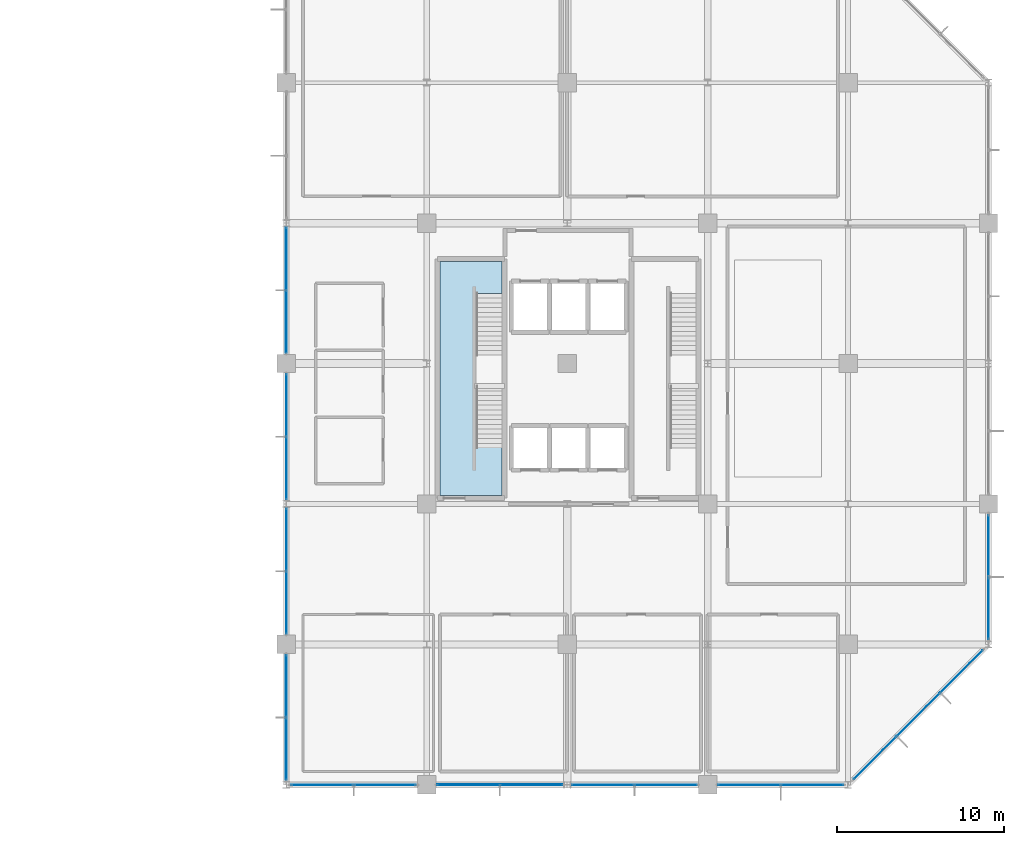
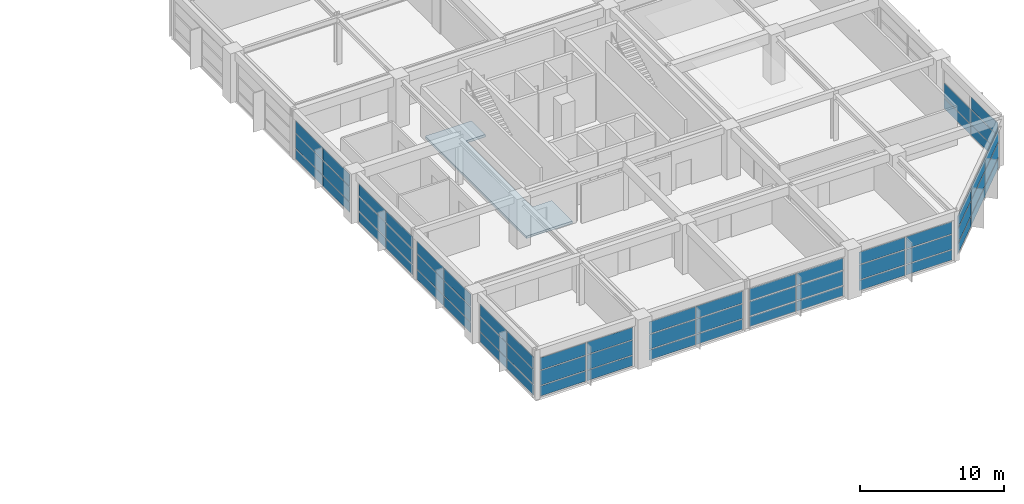
# One storey, part 12 of 18: 62 plates, 1 slab, 11 elements without a shape of their own.
"""IFC4 building model written with IfcOpenShell, lengths in metres."""

from ifc_helpers import new_model, si_unit, direction, frame, origin, origin_2d, place, context, subcontext, project, spatial, polyline, rectangle, outline, extrude, material, layer, layer_set, type_object, element, aggregate, save


model = new_model("IFC4")

# Units and contexts
model_context = context("Model", 3, precision=1e-05, world=origin(), true_north=direction((0.0, 1.0)))
body_context = subcontext(model_context, "Body", "Model", "MODEL_VIEW")
ifc_project = project(units=[si_unit("LENGTHUNIT", "METRE"), si_unit("AREAUNIT", "SQUARE_METRE"), si_unit("VOLUMEUNIT", "CUBIC_METRE"), si_unit("PLANEANGLEUNIT", "RADIAN"), si_unit("MASSUNIT", "GRAM", prefix="KILO")], contexts=[model_context])

# Site, building, storey
site_placement = place(None, origin())
site = spatial("IfcSite", under=ifc_project, at=site_placement, CompositionType="ELEMENT")
building_placement = place(site_placement, origin())
building = spatial("IfcBuilding", under=site, at=building_placement, Name="Xuanlan Plaza Opera House", CompositionType="ELEMENT")
storey_placement = place(building_placement, frame((0.0, 0.0, 32.10009765625)))
storey = spatial("IfcBuildingStorey", under=building, at=storey_placement, Name="L07", CompositionType="ELEMENT", Elevation=32.10009765625)

# Curtain wall, plates
ifc_material_1 = material(Name="Anodised Aluminium 6063-T6 and Low-E Glass", Category="aluminium")
curtain_wall_type_1 = type_object("IfcCurtainWallType", Name="ENV-CW-CW-01", PredefinedType="USERDEFINED", material=ifc_material_1)
curtain_wall_1_placement = place(storey_placement, origin())
curtain_wall_1 = element("IfcCurtainWall", 1, at=curtain_wall_1_placement, inside=storey, type_object=curtain_wall_type_1, Name="Unitised Curtain Wall L07-004", ObjectType="UNITISED CURTAIN WALL", PredefinedType="USERDEFINED")
ifc_material_2 = material(Name="Laminated Acoustic Double Glazing", Category="glass")
ifc_layer_1 = layer(ifc_material_2, 0.028076171875)
ifc_layer_set_1 = layer_set([ifc_layer_1], Name="Laminated Acoustic Double Glazing")
plate_type_1 = type_object("IfcPlateType", Name="ENV-CWP-01", PredefinedType="CURTAIN_PANEL", material=ifc_layer_set_1)
plate_1_placement = place(storey_placement, frame((153.691162109375, 33.60009765625, 0.06982421875), z_axis=(0.0, 0.0, 1.0), x_axis=(1.0, 0.0, 0.0)))
plate_1 = element("IfcPlate", 2, at=plate_1_placement, type_object=plate_type_1, Name="CW-01 panel 1.1", PredefinedType="CURTAIN_PANEL", context=body_context, shape_type="SweptSolid", body=[
    extrude(rectangle(XDim=3.6923828125, YDim=0.028076171875, at=origin_2d()), origin(), (0.0, 0.0, 1.0), 0.844970703125),
])
plate_2_placement = place(storey_placement, frame((153.691162109375, 33.60009765625, 0.98486328125), z_axis=(0.0, 0.0, 1.0), x_axis=(1.0, 0.0, 0.0)))
plate_2 = element("IfcPlate", 3, at=plate_2_placement, type_object=plate_type_1, Name="CW-01 panel 1.2", PredefinedType="CURTAIN_PANEL", context=body_context, shape_type="SweptSolid", body=[
    extrude(rectangle(XDim=3.6923828125, YDim=0.028076171875, at=origin_2d()), origin(), (0.0, 0.0, 1.0), 1.22998046875),
])
plate_3_placement = place(storey_placement, frame((153.691162109375, 33.60009765625, 2.284912109375), z_axis=(0.0, 0.0, 1.0), x_axis=(1.0, 0.0, 0.0)))
plate_3 = element("IfcPlate", 4, at=plate_3_placement, type_object=plate_type_1, Name="CW-01 panel 1.3", PredefinedType="CURTAIN_PANEL", context=body_context, shape_type="SweptSolid", body=[
    extrude(rectangle(XDim=3.6923828125, YDim=0.028076171875, at=origin_2d()), origin(), (0.0, 0.0, 1.0), 1.02490234375),
])
plate_4_placement = place(storey_placement, frame((157.458740234375, 33.60009765625, 0.06982421875), z_axis=(0.0, 0.0, 1.0), x_axis=(1.0, 0.0, 0.0)))
plate_4 = element("IfcPlate", 5, at=plate_4_placement, type_object=plate_type_1, Name="CW-01 panel 2.1", PredefinedType="CURTAIN_PANEL", context=body_context, shape_type="SweptSolid", body=[
    extrude(rectangle(XDim=3.6923828125, YDim=0.028076171875, at=origin_2d()), origin(), (0.0, 0.0, 1.0), 0.844970703125),
])
plate_5_placement = place(storey_placement, frame((157.458740234375, 33.60009765625, 0.98486328125), z_axis=(0.0, 0.0, 1.0), x_axis=(1.0, 0.0, 0.0)))
plate_5 = element("IfcPlate", 6, at=plate_5_placement, type_object=plate_type_1, Name="CW-01 panel 2.2", PredefinedType="CURTAIN_PANEL", context=body_context, shape_type="SweptSolid", body=[
    extrude(rectangle(XDim=3.6923828125, YDim=0.028076171875, at=origin_2d()), origin(), (0.0, 0.0, 1.0), 1.22998046875),
])
plate_6_placement = place(storey_placement, frame((157.458740234375, 33.60009765625, 2.284912109375), z_axis=(0.0, 0.0, 1.0), x_axis=(1.0, 0.0, 0.0)))
plate_6 = element("IfcPlate", 7, at=plate_6_placement, type_object=plate_type_1, Name="CW-01 panel 2.3", PredefinedType="CURTAIN_PANEL", context=body_context, shape_type="SweptSolid", body=[
    extrude(rectangle(XDim=3.6923828125, YDim=0.028076171875, at=origin_2d()), origin(), (0.0, 0.0, 1.0), 1.02490234375),
])
aggregate(curtain_wall_1, [plate_1, plate_2, plate_3, plate_4, plate_5, plate_6])

curtain_wall_type_2 = type_object("IfcCurtainWallType", Name="ENV-CW-CW-04", PredefinedType="USERDEFINED", material=ifc_material_1)
curtain_wall_2_placement = place(storey_placement, origin())
curtain_wall_2 = element("IfcCurtainWall", 8, at=curtain_wall_2_placement, inside=storey, type_object=curtain_wall_type_2, Name="Unitised Curtain Wall L07-019", ObjectType="UNITISED CURTAIN WALL", PredefinedType="USERDEFINED")
plate_7_placement = place(storey_placement, frame((126.0, 48.2587890625, 0.06982421875), z_axis=(0.0, 0.0, 1.0), x_axis=(0.0, -1.0, 0.0)))
plate_7 = element("IfcPlate", 9, at=plate_7_placement, type_object=plate_type_1, Name="CW-04 panel 1.1", PredefinedType="CURTAIN_PANEL", context=body_context, shape_type="SweptSolid", body=[
    extrude(rectangle(XDim=3.6923828125, YDim=0.028076171875, at=origin_2d()), origin(), (0.0, 0.0, 1.0), 0.844970703125),
])
plate_8_placement = place(storey_placement, frame((126.0, 48.2587890625, 0.98486328125), z_axis=(0.0, 0.0, 1.0), x_axis=(0.0, -1.0, 0.0)))
plate_8 = element("IfcPlate", 10, at=plate_8_placement, type_object=plate_type_1, Name="CW-04 panel 1.2", PredefinedType="CURTAIN_PANEL", context=body_context, shape_type="SweptSolid", body=[
    extrude(rectangle(XDim=3.6923828125, YDim=0.028076171875, at=origin_2d()), origin(), (0.0, 0.0, 1.0), 1.22998046875),
])
plate_9_placement = place(storey_placement, frame((126.0, 48.2587890625, 2.284912109375), z_axis=(0.0, 0.0, 1.0), x_axis=(0.0, -1.0, 0.0)))
plate_9 = element("IfcPlate", 11, at=plate_9_placement, type_object=plate_type_1, Name="CW-04 panel 1.3", PredefinedType="CURTAIN_PANEL", context=body_context, shape_type="SweptSolid", body=[
    extrude(rectangle(XDim=3.6923828125, YDim=0.028076171875, at=origin_2d()), origin(), (0.0, 0.0, 1.0), 1.02490234375),
])
plate_10_placement = place(storey_placement, frame((126.0, 44.4912109375, 0.06982421875), z_axis=(0.0, 0.0, 1.0), x_axis=(0.0, -1.0, 0.0)))
plate_10 = element("IfcPlate", 12, at=plate_10_placement, type_object=plate_type_1, Name="CW-04 panel 2.1", PredefinedType="CURTAIN_PANEL", context=body_context, shape_type="SweptSolid", body=[
    extrude(rectangle(XDim=3.6923828125, YDim=0.028076171875, at=origin_2d()), origin(), (0.0, 0.0, 1.0), 0.844970703125),
])
plate_11_placement = place(storey_placement, frame((126.0, 44.4912109375, 0.98486328125), z_axis=(0.0, 0.0, 1.0), x_axis=(0.0, -1.0, 0.0)))
plate_11 = element("IfcPlate", 13, at=plate_11_placement, type_object=plate_type_1, Name="CW-04 panel 2.2", PredefinedType="CURTAIN_PANEL", context=body_context, shape_type="SweptSolid", body=[
    extrude(rectangle(XDim=3.6923828125, YDim=0.028076171875, at=origin_2d()), origin(), (0.0, 0.0, 1.0), 1.22998046875),
])
plate_12_placement = place(storey_placement, frame((126.0, 44.4912109375, 2.284912109375), z_axis=(0.0, 0.0, 1.0), x_axis=(0.0, -1.0, 0.0)))
plate_12 = element("IfcPlate", 14, at=plate_12_placement, type_object=plate_type_1, Name="CW-04 panel 2.3", PredefinedType="CURTAIN_PANEL", context=body_context, shape_type="SweptSolid", body=[
    extrude(rectangle(XDim=3.6923828125, YDim=0.028076171875, at=origin_2d()), origin(), (0.0, 0.0, 1.0), 1.02490234375),
])
aggregate(curtain_wall_2, [plate_7, plate_8, plate_9, plate_10, plate_11, plate_12])

curtain_wall_type_3 = type_object("IfcCurtainWallType", Name="ENV-CW-CW-02", PredefinedType="USERDEFINED", material=ifc_material_1)
curtain_wall_3_placement = place(storey_placement, origin())
curtain_wall_3 = element("IfcCurtainWall", 15, at=curtain_wall_3_placement, inside=storey, type_object=curtain_wall_type_3, Name="Unitised Curtain Wall L07-001", ObjectType="UNITISED CURTAIN WALL", PredefinedType="USERDEFINED")
ifc_layer_2 = layer(ifc_material_2, 0.031982421875)
ifc_layer_set_2 = layer_set([ifc_layer_2], Name="Laminated Acoustic Double Glazing")
plate_type_2 = type_object("IfcPlateType", Name="ENV-CWP-02", PredefinedType="CURTAIN_PANEL", material=ifc_layer_set_2)
plate_13_placement = place(storey_placement, frame((128.14501953125, 33.60009765625, 0.06494140625), z_axis=(0.0, 0.0, 1.0), x_axis=(1.0, 0.0, 0.0)))
plate_13 = element("IfcPlate", 16, at=plate_13_placement, type_object=plate_type_2, Name="CW-02 panel 1.1", PredefinedType="CURTAIN_PANEL", context=body_context, shape_type="SweptSolid", body=[
    extrude(rectangle(XDim=3.669921875, YDim=0.031982421875, at=origin_2d()), origin(), (0.0, 0.0, 1.0), 0.8525390625),
])
plate_14_placement = place(storey_placement, frame((128.14501953125, 33.60009765625, 0.982421875), z_axis=(0.0, 0.0, 1.0), x_axis=(1.0, 0.0, 0.0)))
plate_14 = element("IfcPlate", 17, at=plate_14_placement, type_object=plate_type_2, Name="CW-02 panel 1.2", PredefinedType="CURTAIN_PANEL", context=body_context, shape_type="SweptSolid", body=[
    extrude(rectangle(XDim=3.669921875, YDim=0.031982421875, at=origin_2d()), origin(), (0.0, 0.0, 1.0), 1.235107421875),
])
plate_15_placement = place(storey_placement, frame((128.14501953125, 33.60009765625, 2.2822265625), z_axis=(0.0, 0.0, 1.0), x_axis=(1.0, 0.0, 0.0)))
plate_15 = element("IfcPlate", 18, at=plate_15_placement, type_object=plate_type_2, Name="CW-02 panel 1.3", PredefinedType="CURTAIN_PANEL", context=body_context, shape_type="SweptSolid", body=[
    extrude(rectangle(XDim=3.669921875, YDim=0.031982421875, at=origin_2d()), origin(), (0.0, 0.0, 1.0), 1.032470703125),
])
plate_16_placement = place(storey_placement, frame((131.905029296875, 33.60009765625, 0.06494140625), z_axis=(0.0, 0.0, 1.0), x_axis=(1.0, 0.0, 0.0)))
plate_16 = element("IfcPlate", 19, at=plate_16_placement, type_object=plate_type_2, Name="CW-02 panel 2.1", PredefinedType="CURTAIN_PANEL", context=body_context, shape_type="SweptSolid", body=[
    extrude(rectangle(XDim=3.669921875, YDim=0.031982421875, at=origin_2d()), origin(), (0.0, 0.0, 1.0), 0.8525390625),
])
plate_17_placement = place(storey_placement, frame((131.905029296875, 33.60009765625, 0.982421875), z_axis=(0.0, 0.0, 1.0), x_axis=(1.0, 0.0, 0.0)))
plate_17 = element("IfcPlate", 20, at=plate_17_placement, type_object=plate_type_2, Name="CW-02 panel 2.2", PredefinedType="CURTAIN_PANEL", context=body_context, shape_type="SweptSolid", body=[
    extrude(rectangle(XDim=3.669921875, YDim=0.031982421875, at=origin_2d()), origin(), (0.0, 0.0, 1.0), 1.235107421875),
])
plate_18_placement = place(storey_placement, frame((131.905029296875, 33.60009765625, 2.2822265625), z_axis=(0.0, 0.0, 1.0), x_axis=(1.0, 0.0, 0.0)))
plate_18 = element("IfcPlate", 21, at=plate_18_placement, type_object=plate_type_2, Name="CW-02 panel 2.3", PredefinedType="CURTAIN_PANEL", context=body_context, shape_type="SweptSolid", body=[
    extrude(rectangle(XDim=3.669921875, YDim=0.031982421875, at=origin_2d()), origin(), (0.0, 0.0, 1.0), 1.032470703125),
])
aggregate(curtain_wall_3, [plate_13, plate_14, plate_15, plate_16, plate_17, plate_18])

curtain_wall_type_4 = type_object("IfcCurtainWallType", Name="ENV-CW-CW-03", PredefinedType="USERDEFINED", material=ifc_material_1)
curtain_wall_4_placement = place(storey_placement, origin())
curtain_wall_4 = element("IfcCurtainWall", 22, at=curtain_wall_4_placement, inside=storey, type_object=curtain_wall_type_4, Name="Unitised Curtain Wall L07-006", ObjectType="UNITISED CURTAIN WALL", PredefinedType="USERDEFINED")
plate_19_placement = place(storey_placement, frame((168.0, 44.14501953125, 0.06494140625), z_axis=(0.0, 0.0, 1.0), x_axis=(0.0, 1.0, 0.0)))
plate_19 = element("IfcPlate", 23, at=plate_19_placement, type_object=plate_type_2, Name="CW-03 panel 1.1", PredefinedType="CURTAIN_PANEL", context=body_context, shape_type="SweptSolid", body=[
    extrude(rectangle(XDim=3.669921875, YDim=0.031982421875, at=origin_2d()), origin(), (0.0, 0.0, 1.0), 0.8525390625),
])
plate_20_placement = place(storey_placement, frame((168.0, 44.14501953125, 0.982421875), z_axis=(0.0, 0.0, 1.0), x_axis=(0.0, 1.0, 0.0)))
plate_20 = element("IfcPlate", 24, at=plate_20_placement, type_object=plate_type_2, Name="CW-03 panel 1.2", PredefinedType="CURTAIN_PANEL", context=body_context, shape_type="SweptSolid", body=[
    extrude(rectangle(XDim=3.669921875, YDim=0.031982421875, at=origin_2d()), origin(), (0.0, 0.0, 1.0), 1.235107421875),
])
plate_21_placement = place(storey_placement, frame((168.0, 44.14501953125, 2.2822265625), z_axis=(0.0, 0.0, 1.0), x_axis=(0.0, 1.0, 0.0)))
plate_21 = element("IfcPlate", 25, at=plate_21_placement, type_object=plate_type_2, Name="CW-03 panel 1.3", PredefinedType="CURTAIN_PANEL", context=body_context, shape_type="SweptSolid", body=[
    extrude(rectangle(XDim=3.669921875, YDim=0.031982421875, at=origin_2d()), origin(), (0.0, 0.0, 1.0), 1.032470703125),
])
plate_22_placement = place(storey_placement, frame((168.0, 47.905029296875, 0.06494140625), z_axis=(0.0, 0.0, 1.0), x_axis=(0.0, 1.0, 0.0)))
plate_22 = element("IfcPlate", 26, at=plate_22_placement, type_object=plate_type_2, Name="CW-03 panel 2.1", PredefinedType="CURTAIN_PANEL", context=body_context, shape_type="SweptSolid", body=[
    extrude(rectangle(XDim=3.669921875, YDim=0.031982421875, at=origin_2d()), origin(), (0.0, 0.0, 1.0), 0.8525390625),
])
plate_23_placement = place(storey_placement, frame((168.0, 47.905029296875, 0.982421875), z_axis=(0.0, 0.0, 1.0), x_axis=(0.0, 1.0, 0.0)))
plate_23 = element("IfcPlate", 27, at=plate_23_placement, type_object=plate_type_2, Name="CW-03 panel 2.2", PredefinedType="CURTAIN_PANEL", context=body_context, shape_type="SweptSolid", body=[
    extrude(rectangle(XDim=3.669921875, YDim=0.031982421875, at=origin_2d()), origin(), (0.0, 0.0, 1.0), 1.235107421875),
])
aggregate(curtain_wall_4, [plate_19, plate_20, plate_21, plate_22, plate_23])

curtain_wall_5_placement = place(storey_placement, origin())
curtain_wall_5 = element("IfcCurtainWall", 28, at=curtain_wall_5_placement, inside=storey, type_object=curtain_wall_type_2, Name="Unitised Curtain Wall L07-003", ObjectType="UNITISED CURTAIN WALL", PredefinedType="USERDEFINED")
ifc_layer_3 = layer(ifc_material_2, 0.035888671875)
ifc_layer_set_3 = layer_set([ifc_layer_3], Name="Laminated Acoustic Double Glazing")
plate_type_3 = type_object("IfcPlateType", Name="ENV-CWP-03", PredefinedType="CURTAIN_PANEL", material=ifc_layer_set_3)
plate_24_placement = place(storey_placement, frame((144.93994140625, 33.60009765625, 0.08984375), z_axis=(0.0, 0.0, 1.0), x_axis=(1.0, 0.0, 0.0)))
plate_24 = element("IfcPlate", 29, at=plate_24_placement, type_object=plate_type_3, Name="CW-04 panel 1.1", PredefinedType="CURTAIN_PANEL", context=body_context, shape_type="SweptSolid", body=[
    extrude(rectangle(XDim=3.699951171875, YDim=0.035888671875, at=origin_2d()), origin(), (0.0, 0.0, 1.0), 0.81494140625),
])
plate_25_placement = place(storey_placement, frame((144.93994140625, 33.60009765625, 0.994873046875), z_axis=(0.0, 0.0, 1.0), x_axis=(1.0, 0.0, 0.0)))
plate_25 = element("IfcPlate", 30, at=plate_25_placement, type_object=plate_type_3, Name="CW-04 panel 1.2", PredefinedType="CURTAIN_PANEL", context=body_context, shape_type="SweptSolid", body=[
    extrude(rectangle(XDim=3.699951171875, YDim=0.035888671875, at=origin_2d()), origin(), (0.0, 0.0, 1.0), 1.2099609375),
])
plate_26_placement = place(storey_placement, frame((144.93994140625, 33.60009765625, 2.294921875), z_axis=(0.0, 0.0, 1.0), x_axis=(1.0, 0.0, 0.0)))
plate_26 = element("IfcPlate", 31, at=plate_26_placement, type_object=plate_type_3, Name="CW-04 panel 1.3", PredefinedType="CURTAIN_PANEL", context=body_context, shape_type="SweptSolid", body=[
    extrude(rectangle(XDim=3.699951171875, YDim=0.035888671875, at=origin_2d()), origin(), (0.0, 0.0, 1.0), 0.9951171875),
])
plate_27_placement = place(storey_placement, frame((148.7099609375, 33.60009765625, 0.08984375), z_axis=(0.0, 0.0, 1.0), x_axis=(1.0, 0.0, 0.0)))
plate_27 = element("IfcPlate", 32, at=plate_27_placement, type_object=plate_type_3, Name="CW-04 panel 2.1", PredefinedType="CURTAIN_PANEL", context=body_context, shape_type="SweptSolid", body=[
    extrude(rectangle(XDim=3.699951171875, YDim=0.035888671875, at=origin_2d()), origin(), (0.0, 0.0, 1.0), 0.81494140625),
])
plate_28_placement = place(storey_placement, frame((148.7099609375, 33.60009765625, 0.994873046875), z_axis=(0.0, 0.0, 1.0), x_axis=(1.0, 0.0, 0.0)))
plate_28 = element("IfcPlate", 33, at=plate_28_placement, type_object=plate_type_3, Name="CW-04 panel 2.2", PredefinedType="CURTAIN_PANEL", context=body_context, shape_type="SweptSolid", body=[
    extrude(rectangle(XDim=3.699951171875, YDim=0.035888671875, at=origin_2d()), origin(), (0.0, 0.0, 1.0), 1.2099609375),
])
plate_29_placement = place(storey_placement, frame((148.7099609375, 33.60009765625, 2.294921875), z_axis=(0.0, 0.0, 1.0), x_axis=(1.0, 0.0, 0.0)))
plate_29 = element("IfcPlate", 34, at=plate_29_placement, type_object=plate_type_3, Name="CW-04 panel 2.3", PredefinedType="CURTAIN_PANEL", context=body_context, shape_type="SweptSolid", body=[
    extrude(rectangle(XDim=3.699951171875, YDim=0.035888671875, at=origin_2d()), origin(), (0.0, 0.0, 1.0), 0.9951171875),
])
aggregate(curtain_wall_5, [plate_24, plate_25, plate_26, plate_27, plate_28, plate_29])

curtain_wall_6_placement = place(storey_placement, origin())
curtain_wall_6 = element("IfcCurtainWall", 35, at=curtain_wall_6_placement, inside=storey, type_object=curtain_wall_type_4, Name="Unitised Curtain Wall L07-018", ObjectType="UNITISED CURTAIN WALL", PredefinedType="USERDEFINED")
plate_30_placement = place(storey_placement, frame((126.0, 56.31005859375, 0.08984375), z_axis=(0.0, 0.0, 1.0), x_axis=(0.0, -1.0, 0.0)))
plate_30 = element("IfcPlate", 36, at=plate_30_placement, type_object=plate_type_3, Name="CW-03 panel 1.1", PredefinedType="CURTAIN_PANEL", context=body_context, shape_type="SweptSolid", body=[
    extrude(rectangle(XDim=3.699951171875, YDim=0.035888671875, at=origin_2d()), origin(), (0.0, 0.0, 1.0), 0.81494140625),
])
plate_31_placement = place(storey_placement, frame((126.0, 56.31005859375, 0.994873046875), z_axis=(0.0, 0.0, 1.0), x_axis=(0.0, -1.0, 0.0)))
plate_31 = element("IfcPlate", 37, at=plate_31_placement, type_object=plate_type_3, Name="CW-03 panel 1.2", PredefinedType="CURTAIN_PANEL", context=body_context, shape_type="SweptSolid", body=[
    extrude(rectangle(XDim=3.699951171875, YDim=0.035888671875, at=origin_2d()), origin(), (0.0, 0.0, 1.0), 1.2099609375),
])
plate_32_placement = place(storey_placement, frame((126.0, 56.31005859375, 2.294921875), z_axis=(0.0, 0.0, 1.0), x_axis=(0.0, -1.0, 0.0)))
plate_32 = element("IfcPlate", 38, at=plate_32_placement, type_object=plate_type_3, Name="CW-03 panel 1.3", PredefinedType="CURTAIN_PANEL", context=body_context, shape_type="SweptSolid", body=[
    extrude(rectangle(XDim=3.699951171875, YDim=0.035888671875, at=origin_2d()), origin(), (0.0, 0.0, 1.0), 0.9951171875),
])
plate_33_placement = place(storey_placement, frame((126.0, 52.5400390625, 0.08984375), z_axis=(0.0, 0.0, 1.0), x_axis=(0.0, -1.0, 0.0)))
plate_33 = element("IfcPlate", 39, at=plate_33_placement, type_object=plate_type_3, Name="CW-03 panel 2.1", PredefinedType="CURTAIN_PANEL", context=body_context, shape_type="SweptSolid", body=[
    extrude(rectangle(XDim=3.699951171875, YDim=0.035888671875, at=origin_2d()), origin(), (0.0, 0.0, 1.0), 0.81494140625),
])
plate_34_placement = place(storey_placement, frame((126.0, 52.5400390625, 0.994873046875), z_axis=(0.0, 0.0, 1.0), x_axis=(0.0, -1.0, 0.0)))
plate_34 = element("IfcPlate", 40, at=plate_34_placement, type_object=plate_type_3, Name="CW-03 panel 2.2", PredefinedType="CURTAIN_PANEL", context=body_context, shape_type="SweptSolid", body=[
    extrude(rectangle(XDim=3.699951171875, YDim=0.035888671875, at=origin_2d()), origin(), (0.0, 0.0, 1.0), 1.2099609375),
])
plate_35_placement = place(storey_placement, frame((126.0, 52.5400390625, 2.294921875), z_axis=(0.0, 0.0, 1.0), x_axis=(0.0, -1.0, 0.0)))
plate_35 = element("IfcPlate", 41, at=plate_35_placement, type_object=plate_type_3, Name="CW-03 panel 2.3", PredefinedType="CURTAIN_PANEL", context=body_context, shape_type="SweptSolid", body=[
    extrude(rectangle(XDim=3.699951171875, YDim=0.035888671875, at=origin_2d()), origin(), (0.0, 0.0, 1.0), 0.9951171875),
])
aggregate(curtain_wall_6, [plate_30, plate_31, plate_32, plate_33, plate_34, plate_35])

curtain_wall_7_placement = place(storey_placement, origin())
curtain_wall_7 = element("IfcCurtainWall", 42, at=curtain_wall_7_placement, inside=storey, type_object=curtain_wall_type_3, Name="Unitised Curtain Wall L07-005", ObjectType="UNITISED CURTAIN WALL", PredefinedType="USERDEFINED")
ifc_layer_4 = layer(ifc_material_2, 0.0400390625)
ifc_layer_set_4 = layer_set([ifc_layer_4], Name="Laminated Acoustic Double Glazing")
plate_type_4 = type_object("IfcPlateType", Name="ENV-CWP-04", PredefinedType="CURTAIN_PANEL", material=ifc_layer_set_4)
plate_36_placement = place(storey_placement, frame((161.21337890625, 35.21337890625, 0.079833984375), z_axis=(0.0, 0.0, 1.0), x_axis=(0.707106781187, 0.707106781187, 0.0)))
plate_36 = element("IfcPlate", 43, at=plate_36_placement, type_object=plate_type_4, Name="CW-02 panel 1.1", PredefinedType="CURTAIN_PANEL", context=body_context, shape_type="SweptSolid", body=[
    extrude(rectangle(XDim=3.557861328125, YDim=0.0400390625, at=origin_2d()), origin(), (0.0, 0.0, 1.0), 0.830078125),
])
plate_37_placement = place(storey_placement, frame((161.21337890625, 35.21337890625, 0.98974609375), z_axis=(0.0, 0.0, 1.0), x_axis=(0.707106781187, 0.707106781187, 0.0)))
plate_37 = element("IfcPlate", 44, at=plate_37_placement, type_object=plate_type_4, Name="CW-02 panel 1.2", PredefinedType="CURTAIN_PANEL", context=body_context, shape_type="SweptSolid", body=[
    extrude(rectangle(XDim=3.557861328125, YDim=0.0400390625, at=origin_2d()), origin(), (0.0, 0.0, 1.0), 1.219970703125),
])
plate_38_placement = place(storey_placement, frame((161.21337890625, 35.21337890625, 2.2900390625), z_axis=(0.0, 0.0, 1.0), x_axis=(0.707106781187, 0.707106781187, 0.0)))
plate_38 = element("IfcPlate", 45, at=plate_38_placement, type_object=plate_type_4, Name="CW-02 panel 1.3", PredefinedType="CURTAIN_PANEL", context=body_context, shape_type="SweptSolid", body=[
    extrude(rectangle(XDim=3.557861328125, YDim=0.0400390625, at=origin_2d()), origin(), (0.0, 0.0, 1.0), 1.010009765625),
])
plate_39_placement = place(storey_placement, frame((163.800048828125, 37.800048828125, 0.079833984375), z_axis=(0.0, 0.0, 1.0), x_axis=(0.707106781187, 0.707106781187, 0.0)))
plate_39 = element("IfcPlate", 46, at=plate_39_placement, type_object=plate_type_4, Name="CW-02 panel 2.1", PredefinedType="CURTAIN_PANEL", context=body_context, shape_type="SweptSolid", body=[
    extrude(rectangle(XDim=3.597900390625, YDim=0.0400390625, at=origin_2d()), origin(), (0.0, 0.0, 1.0), 0.830078125),
])
plate_40_placement = place(storey_placement, frame((163.800048828125, 37.800048828125, 0.98974609375), z_axis=(0.0, 0.0, 1.0), x_axis=(0.707106781187, 0.707106781187, 0.0)))
plate_40 = element("IfcPlate", 47, at=plate_40_placement, type_object=plate_type_4, Name="CW-02 panel 2.2", PredefinedType="CURTAIN_PANEL", context=body_context, shape_type="SweptSolid", body=[
    extrude(rectangle(XDim=3.597900390625, YDim=0.0400390625, at=origin_2d()), origin(), (0.0, 0.0, 1.0), 1.219970703125),
])
plate_41_placement = place(storey_placement, frame((163.800048828125, 37.800048828125, 2.2900390625), z_axis=(0.0, 0.0, 1.0), x_axis=(0.707106781187, 0.707106781187, 0.0)))
plate_41 = element("IfcPlate", 48, at=plate_41_placement, type_object=plate_type_4, Name="CW-02 panel 2.3", PredefinedType="CURTAIN_PANEL", context=body_context, shape_type="SweptSolid", body=[
    extrude(rectangle(XDim=3.597900390625, YDim=0.0400390625, at=origin_2d()), origin(), (0.0, 0.0, 1.0), 1.010009765625),
])
plate_42_placement = place(storey_placement, frame((166.386474609375, 40.386474609375, 0.079833984375), z_axis=(0.0, 0.0, 1.0), x_axis=(0.707106781187, 0.707106781187, 0.0)))
plate_42 = element("IfcPlate", 49, at=plate_42_placement, type_object=plate_type_4, Name="CW-02 panel 3.1", PredefinedType="CURTAIN_PANEL", context=body_context, shape_type="SweptSolid", body=[
    extrude(rectangle(XDim=3.557861328125, YDim=0.0400390625, at=origin_2d()), origin(), (0.0, 0.0, 1.0), 0.830078125),
])
plate_43_placement = place(storey_placement, frame((166.386474609375, 40.386474609375, 0.98974609375), z_axis=(0.0, 0.0, 1.0), x_axis=(0.707106781187, 0.707106781187, 0.0)))
plate_43 = element("IfcPlate", 50, at=plate_43_placement, type_object=plate_type_4, Name="CW-02 panel 3.2", PredefinedType="CURTAIN_PANEL", context=body_context, shape_type="SweptSolid", body=[
    extrude(rectangle(XDim=3.557861328125, YDim=0.0400390625, at=origin_2d()), origin(), (0.0, 0.0, 1.0), 1.219970703125),
])
plate_44_placement = place(storey_placement, frame((166.386474609375, 40.386474609375, 2.2900390625), z_axis=(0.0, 0.0, 1.0), x_axis=(0.707106781187, 0.707106781187, 0.0)))
plate_44 = element("IfcPlate", 51, at=plate_44_placement, type_object=plate_type_4, Name="CW-02 panel 3.3", PredefinedType="CURTAIN_PANEL", context=body_context, shape_type="SweptSolid", body=[
    extrude(rectangle(XDim=3.557861328125, YDim=0.0400390625, at=origin_2d()), origin(), (0.0, 0.0, 1.0), 1.010009765625),
])
aggregate(curtain_wall_7, [plate_36, plate_37, plate_38, plate_39, plate_40, plate_41, plate_42, plate_43, plate_44])

curtain_wall_8_placement = place(storey_placement, origin())
curtain_wall_8 = element("IfcCurtainWall", 52, at=curtain_wall_8_placement, inside=storey, type_object=curtain_wall_type_1, Name="Unitised Curtain Wall L07-020", ObjectType="UNITISED CURTAIN WALL", PredefinedType="USERDEFINED")
plate_45_placement = place(storey_placement, frame((126.0, 39.507568359375, 0.079833984375), z_axis=(0.0, 0.0, 1.0), x_axis=(0.0, -1.0, 0.0)))
plate_45 = element("IfcPlate", 53, at=plate_45_placement, type_object=plate_type_4, Name="CW-01 panel 1.1", PredefinedType="CURTAIN_PANEL", context=body_context, shape_type="SweptSolid", body=[
    extrude(rectangle(XDim=3.68505859375, YDim=0.0400390625, at=origin_2d()), origin(), (0.0, 0.0, 1.0), 0.830078125),
])
plate_46_placement = place(storey_placement, frame((126.0, 39.507568359375, 0.98974609375), z_axis=(0.0, 0.0, 1.0), x_axis=(0.0, -1.0, 0.0)))
plate_46 = element("IfcPlate", 54, at=plate_46_placement, type_object=plate_type_4, Name="CW-01 panel 1.2", PredefinedType="CURTAIN_PANEL", context=body_context, shape_type="SweptSolid", body=[
    extrude(rectangle(XDim=3.68505859375, YDim=0.0400390625, at=origin_2d()), origin(), (0.0, 0.0, 1.0), 1.219970703125),
])
plate_47_placement = place(storey_placement, frame((126.0, 39.507568359375, 2.2900390625), z_axis=(0.0, 0.0, 1.0), x_axis=(0.0, -1.0, 0.0)))
plate_47 = element("IfcPlate", 55, at=plate_47_placement, type_object=plate_type_4, Name="CW-01 panel 1.3", PredefinedType="CURTAIN_PANEL", context=body_context, shape_type="SweptSolid", body=[
    extrude(rectangle(XDim=3.68505859375, YDim=0.0400390625, at=origin_2d()), origin(), (0.0, 0.0, 1.0), 1.010009765625),
])
plate_48_placement = place(storey_placement, frame((126.0, 35.742431640625, 0.079833984375), z_axis=(0.0, 0.0, 1.0), x_axis=(0.0, -1.0, 0.0)))
plate_48 = element("IfcPlate", 56, at=plate_48_placement, type_object=plate_type_4, Name="CW-01 panel 2.1", PredefinedType="CURTAIN_PANEL", context=body_context, shape_type="SweptSolid", body=[
    extrude(rectangle(XDim=3.68505859375, YDim=0.0400390625, at=origin_2d()), origin(), (0.0, 0.0, 1.0), 0.830078125),
])
plate_49_placement = place(storey_placement, frame((126.0, 35.742431640625, 0.98974609375), z_axis=(0.0, 0.0, 1.0), x_axis=(0.0, -1.0, 0.0)))
plate_49 = element("IfcPlate", 57, at=plate_49_placement, type_object=plate_type_4, Name="CW-01 panel 2.2", PredefinedType="CURTAIN_PANEL", context=body_context, shape_type="SweptSolid", body=[
    extrude(rectangle(XDim=3.68505859375, YDim=0.0400390625, at=origin_2d()), origin(), (0.0, 0.0, 1.0), 1.219970703125),
])
plate_50_placement = place(storey_placement, frame((126.0, 35.742431640625, 2.2900390625), z_axis=(0.0, 0.0, 1.0), x_axis=(0.0, -1.0, 0.0)))
plate_50 = element("IfcPlate", 58, at=plate_50_placement, type_object=plate_type_4, Name="CW-01 panel 2.3", PredefinedType="CURTAIN_PANEL", context=body_context, shape_type="SweptSolid", body=[
    extrude(rectangle(XDim=3.68505859375, YDim=0.0400390625, at=origin_2d()), origin(), (0.0, 0.0, 1.0), 1.010009765625),
])
aggregate(curtain_wall_8, [plate_45, plate_46, plate_47, plate_48, plate_49, plate_50])

curtain_wall_9_placement = place(storey_placement, origin())
curtain_wall_9 = element("IfcCurtainWall", 59, at=curtain_wall_9_placement, inside=storey, type_object=curtain_wall_type_4, Name="Unitised Curtain Wall L07-002", ObjectType="UNITISED CURTAIN WALL", PredefinedType="USERDEFINED")
ifc_layer_5 = layer(ifc_material_2, 0.0439453125)
ifc_layer_set_5 = layer_set([ifc_layer_5], Name="Laminated Acoustic Double Glazing")
plate_type_5 = type_object("IfcPlateType", Name="ENV-CWP-05", PredefinedType="CURTAIN_PANEL", material=ifc_layer_set_5)
plate_51_placement = place(storey_placement, frame((136.888671875, 33.60009765625, 0.074951171875), z_axis=(0.0, 0.0, 1.0), x_axis=(1.0, 0.0, 0.0)))
plate_51 = element("IfcPlate", 60, at=plate_51_placement, type_object=plate_type_5, Name="CW-03 panel 1.1", PredefinedType="CURTAIN_PANEL", context=body_context, shape_type="SweptSolid", body=[
    extrude(rectangle(XDim=3.70751953125, YDim=0.0439453125, at=origin_2d()), origin(), (0.0, 0.0, 1.0), 0.83740234375),
])
plate_52_placement = place(storey_placement, frame((136.888671875, 33.60009765625, 0.9873046875), z_axis=(0.0, 0.0, 1.0), x_axis=(1.0, 0.0, 0.0)))
plate_52 = element("IfcPlate", 61, at=plate_52_placement, type_object=plate_type_5, Name="CW-03 panel 1.2", PredefinedType="CURTAIN_PANEL", context=body_context, shape_type="SweptSolid", body=[
    extrude(rectangle(XDim=3.70751953125, YDim=0.0439453125, at=origin_2d()), origin(), (0.0, 0.0, 1.0), 1.22509765625),
])
plate_53_placement = place(storey_placement, frame((136.888671875, 33.60009765625, 2.287353515625), z_axis=(0.0, 0.0, 1.0), x_axis=(1.0, 0.0, 0.0)))
plate_53 = element("IfcPlate", 62, at=plate_53_placement, type_object=plate_type_5, Name="CW-03 panel 1.3", PredefinedType="CURTAIN_PANEL", context=body_context, shape_type="SweptSolid", body=[
    extrude(rectangle(XDim=3.70751953125, YDim=0.0439453125, at=origin_2d()), origin(), (0.0, 0.0, 1.0), 1.017578125),
])
plate_54_placement = place(storey_placement, frame((140.6611328125, 33.60009765625, 0.074951171875), z_axis=(0.0, 0.0, 1.0), x_axis=(1.0, 0.0, 0.0)))
plate_54 = element("IfcPlate", 63, at=plate_54_placement, type_object=plate_type_5, Name="CW-03 panel 2.1", PredefinedType="CURTAIN_PANEL", context=body_context, shape_type="SweptSolid", body=[
    extrude(rectangle(XDim=3.70751953125, YDim=0.0439453125, at=origin_2d()), origin(), (0.0, 0.0, 1.0), 0.83740234375),
])
plate_55_placement = place(storey_placement, frame((140.6611328125, 33.60009765625, 0.9873046875), z_axis=(0.0, 0.0, 1.0), x_axis=(1.0, 0.0, 0.0)))
plate_55 = element("IfcPlate", 64, at=plate_55_placement, type_object=plate_type_5, Name="CW-03 panel 2.2", PredefinedType="CURTAIN_PANEL", context=body_context, shape_type="SweptSolid", body=[
    extrude(rectangle(XDim=3.70751953125, YDim=0.0439453125, at=origin_2d()), origin(), (0.0, 0.0, 1.0), 1.22509765625),
])
plate_56_placement = place(storey_placement, frame((140.6611328125, 33.60009765625, 2.287353515625), z_axis=(0.0, 0.0, 1.0), x_axis=(1.0, 0.0, 0.0)))
plate_56 = element("IfcPlate", 65, at=plate_56_placement, type_object=plate_type_5, Name="CW-03 panel 2.3", PredefinedType="CURTAIN_PANEL", context=body_context, shape_type="SweptSolid", body=[
    extrude(rectangle(XDim=3.70751953125, YDim=0.0439453125, at=origin_2d()), origin(), (0.0, 0.0, 1.0), 1.017578125),
])
aggregate(curtain_wall_9, [plate_51, plate_52, plate_53, plate_54, plate_55, plate_56])

curtain_wall_10_placement = place(storey_placement, origin())
curtain_wall_10 = element("IfcCurtainWall", 66, at=curtain_wall_10_placement, inside=storey, type_object=curtain_wall_type_3, Name="Unitised Curtain Wall L07-017", ObjectType="UNITISED CURTAIN WALL", PredefinedType="USERDEFINED")
plate_57_placement = place(storey_placement, frame((126.0, 65.061279296875, 0.074951171875), z_axis=(0.0, 0.0, 1.0), x_axis=(0.0, -1.0, 0.0)))
plate_57 = element("IfcPlate", 67, at=plate_57_placement, type_object=plate_type_5, Name="CW-02 panel 1.1", PredefinedType="CURTAIN_PANEL", context=body_context, shape_type="SweptSolid", body=[
    extrude(rectangle(XDim=3.70751953125, YDim=0.0439453125, at=origin_2d()), origin(), (0.0, 0.0, 1.0), 0.83740234375),
])
plate_58_placement = place(storey_placement, frame((126.0, 65.061279296875, 0.9873046875), z_axis=(0.0, 0.0, 1.0), x_axis=(0.0, -1.0, 0.0)))
plate_58 = element("IfcPlate", 68, at=plate_58_placement, type_object=plate_type_5, Name="CW-02 panel 1.2", PredefinedType="CURTAIN_PANEL", context=body_context, shape_type="SweptSolid", body=[
    extrude(rectangle(XDim=3.70751953125, YDim=0.0439453125, at=origin_2d()), origin(), (0.0, 0.0, 1.0), 1.22509765625),
])
plate_59_placement = place(storey_placement, frame((126.0, 65.061279296875, 2.287353515625), z_axis=(0.0, 0.0, 1.0), x_axis=(0.0, -1.0, 0.0)))
plate_59 = element("IfcPlate", 69, at=plate_59_placement, type_object=plate_type_5, Name="CW-02 panel 1.3", PredefinedType="CURTAIN_PANEL", context=body_context, shape_type="SweptSolid", body=[
    extrude(rectangle(XDim=3.70751953125, YDim=0.0439453125, at=origin_2d()), origin(), (0.0, 0.0, 1.0), 1.017578125),
])
plate_60_placement = place(storey_placement, frame((126.0, 61.288818359375, 0.074951171875), z_axis=(0.0, 0.0, 1.0), x_axis=(0.0, -1.0, 0.0)))
plate_60 = element("IfcPlate", 70, at=plate_60_placement, type_object=plate_type_5, Name="CW-02 panel 2.1", PredefinedType="CURTAIN_PANEL", context=body_context, shape_type="SweptSolid", body=[
    extrude(rectangle(XDim=3.70751953125, YDim=0.0439453125, at=origin_2d()), origin(), (0.0, 0.0, 1.0), 0.83740234375),
])
plate_61_placement = place(storey_placement, frame((126.0, 61.288818359375, 0.9873046875), z_axis=(0.0, 0.0, 1.0), x_axis=(0.0, -1.0, 0.0)))
plate_61 = element("IfcPlate", 71, at=plate_61_placement, type_object=plate_type_5, Name="CW-02 panel 2.2", PredefinedType="CURTAIN_PANEL", context=body_context, shape_type="SweptSolid", body=[
    extrude(rectangle(XDim=3.70751953125, YDim=0.0439453125, at=origin_2d()), origin(), (0.0, 0.0, 1.0), 1.22509765625),
])
plate_62_placement = place(storey_placement, frame((126.0, 61.288818359375, 2.287353515625), z_axis=(0.0, 0.0, 1.0), x_axis=(0.0, -1.0, 0.0)))
plate_62 = element("IfcPlate", 72, at=plate_62_placement, type_object=plate_type_5, Name="CW-02 panel 2.3", PredefinedType="CURTAIN_PANEL", context=body_context, shape_type="SweptSolid", body=[
    extrude(rectangle(XDim=3.70751953125, YDim=0.0439453125, at=origin_2d()), origin(), (0.0, 0.0, 1.0), 1.017578125),
])
aggregate(curtain_wall_10, [plate_57, plate_58, plate_59, plate_60, plate_61, plate_62])

# Stair, slab
ifc_material_3 = material(Name="Concrete C40", Category="concrete")
stair_type = type_object("IfcStairType", Name="INT-ST-STR-T155", PredefinedType="STRAIGHT_RUN_STAIR", material=ifc_material_3)
stair_placement = place(storey_placement, origin())
stair = element("IfcStair", 73, at=stair_placement, inside=storey, type_object=stair_type, Name="Protected Exit Stair ST-T1 L07", PredefinedType="STRAIGHT_RUN_STAIR")
ifc_layer_6 = layer(ifc_material_3, 0.199951171875)
ifc_layer_set_6 = layer_set([ifc_layer_6], Name="Concrete C40")
slab_type = type_object("IfcSlabType", Name="INT-SLB-LND-20", PredefinedType="LANDING", material=ifc_layer_set_6)
slab_placement = place(storey_placement, frame((0.0, 0.0, -0.2001953125)))
slab = element("IfcSlab", 74, at=slab_placement, type_object=slab_type, Name="ST-T1-L07 landing 2", PredefinedType="LANDING", context=body_context, shape_type="SweptSolid", body=[
    extrude(outline(polyline([(135.199951171875, 50.89990234375), (138.89990234375, 50.89990234375), (138.89990234375, 53.764892578125), (137.35009765625, 53.764892578125), (137.35009765625, 62.97509765625), (138.89990234375, 62.97509765625), (138.89990234375, 64.89990234375), (135.199951171875, 64.89990234375), (135.199951171875, 50.89990234375)])), origin(), (0.0, 0.0, 1.0), 0.2001953125),
])
aggregate(stair, [slab])

save(model, "model.ifc")
